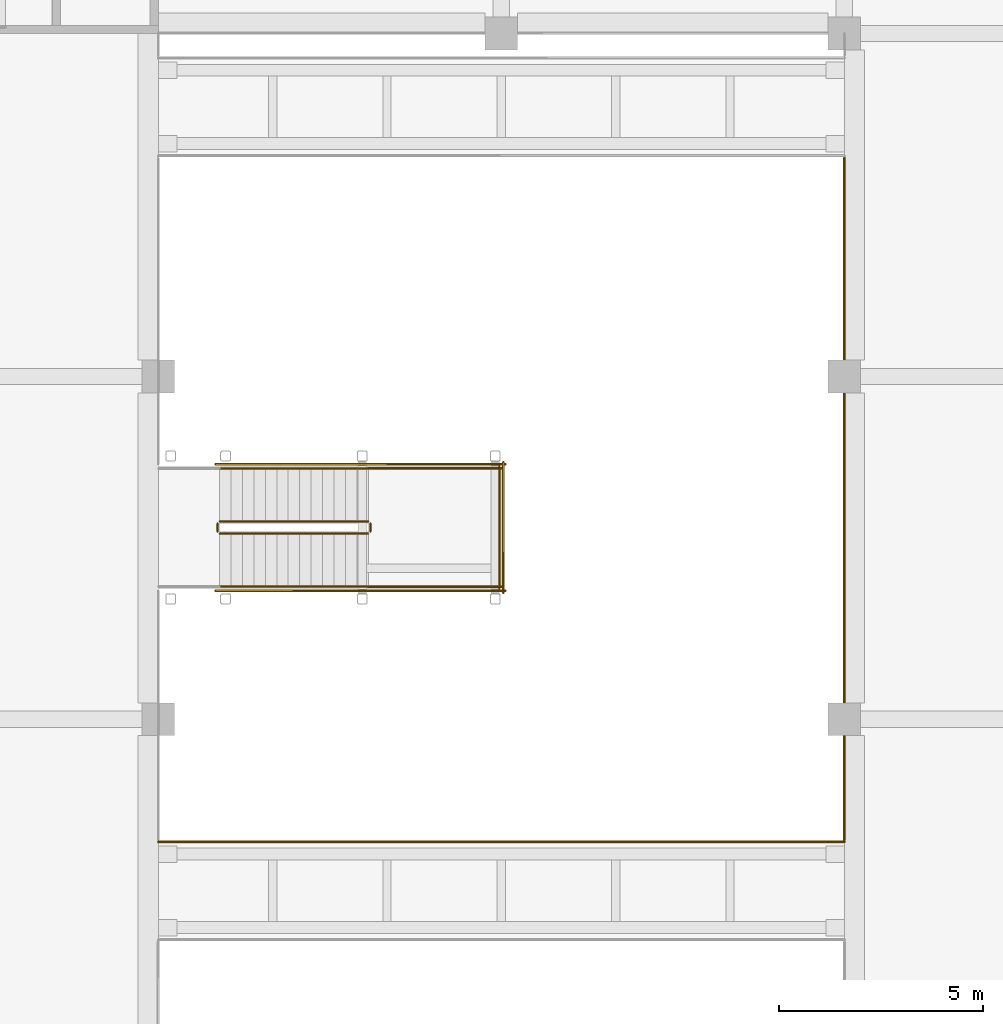
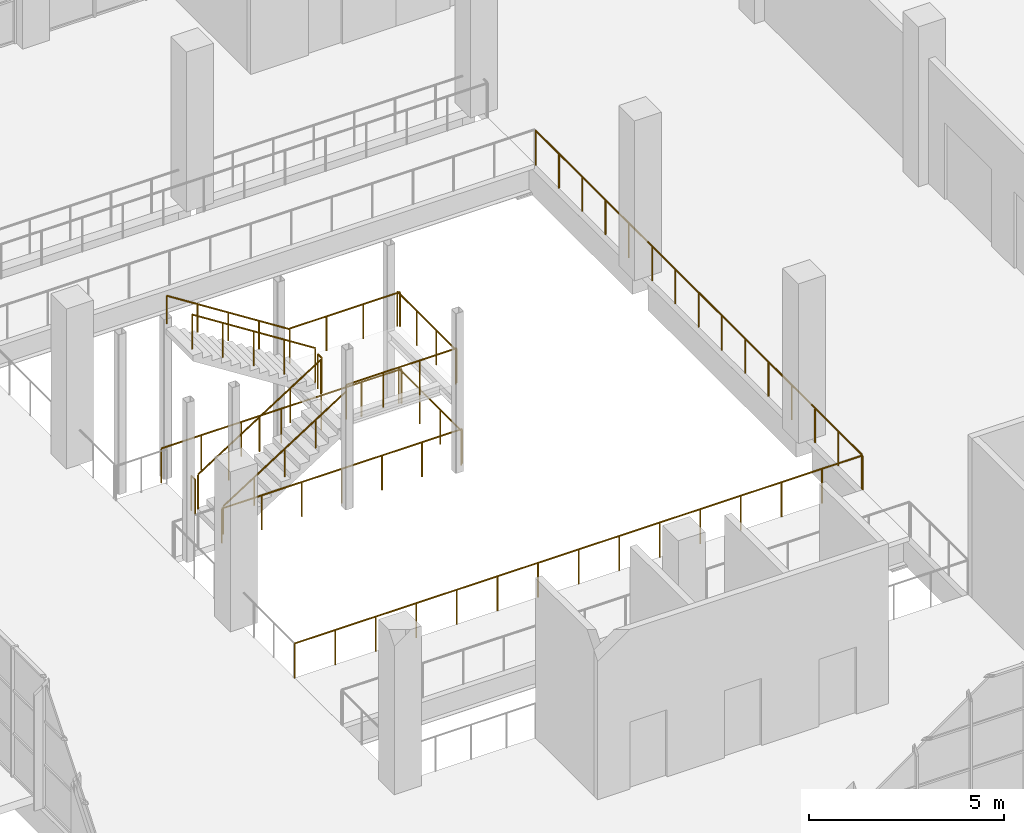
# One storey, part 86 of 101: 14 railings.
"""IFC4 building model written with IfcOpenShell, lengths in metres."""

from ifc_helpers import new_model, si_unit, direction, frame, origin, origin_2d, place, context, subcontext, project, spatial, circle, extrude, material, type_object, element, save


model = new_model("IFC4")

# Units and contexts
model_context = context("Model", 3, precision=1e-05, world=origin(), true_north=direction((0.0, 1.0)))
body_context = subcontext(model_context, "Body", "Model", "MODEL_VIEW")
ifc_project = project(units=[si_unit("LENGTHUNIT", "METRE"), si_unit("AREAUNIT", "SQUARE_METRE"), si_unit("VOLUMEUNIT", "CUBIC_METRE"), si_unit("PLANEANGLEUNIT", "RADIAN"), si_unit("MASSUNIT", "GRAM", prefix="KILO")], contexts=[model_context])

# Site, building, storey
site_placement = place(None, origin())
site = spatial("IfcSite", under=ifc_project, at=site_placement, CompositionType="ELEMENT")
building_placement = place(site_placement, origin())
building = spatial("IfcBuilding", under=site, at=building_placement, Name="Almond Square Museum", CompositionType="ELEMENT")
storey_placement = place(building_placement, frame((0.0, 0.0, 5.5)))
storey = spatial("IfcBuildingStorey", under=building, at=storey_placement, Name="L01", CompositionType="ELEMENT", Elevation=5.5)

# Railings
ifc_material_1 = material(Name="Laminated glass and stainless steel", Category="steel")
railing_type_1 = type_object("IfcRailingType", Name="Atrium bridge guard 1100", PredefinedType="GUARDRAIL", material=ifc_material_1)
railing_1_placement = place(storey_placement, frame((81.60009765625, 81.0, 0.0)))
element("IfcRailing", 1, at=railing_1_placement, inside=storey, type_object=railing_type_1, Name="BR-L01-1 bridge guard north", PredefinedType="GUARDRAIL", context=body_context, shape_type="SweptSolid", body=[
    extrude(circle(Radius=0.02392578125, at=origin_2d()), frame((0.0, 0.0, 1.076171875), z_axis=(1.0, 0.0, 0.0), x_axis=(0.0, 1.0, 0.0)), (0.0, 0.0, 1.0), 16.7998046875),
    extrude(circle(Radius=0.02099609375, at=origin_2d()), origin(), (0.0, 0.0, 1.0), 1.052001953125),
    extrude(circle(Radius=0.02099609375, at=origin_2d()), frame((1.199951171875, 0.0, 0.0)), (0.0, 0.0, 1.0), 1.052001953125),
    extrude(circle(Radius=0.02099609375, at=origin_2d()), frame((2.39990234375, 0.0, 0.0)), (0.0, 0.0, 1.0), 1.052001953125),
    extrude(circle(Radius=0.02099609375, at=origin_2d()), frame((3.599853515625, 0.0, 0.0)), (0.0, 0.0, 1.0), 1.052001953125),
    extrude(circle(Radius=0.02099609375, at=origin_2d()), frame((4.800048828125, 0.0, 0.0)), (0.0, 0.0, 1.0), 1.052001953125),
    extrude(circle(Radius=0.02099609375, at=origin_2d()), frame((6.0, 0.0, 0.0)), (0.0, 0.0, 1.0), 1.052001953125),
    extrude(circle(Radius=0.02099609375, at=origin_2d()), frame((7.199951171875, 0.0, 0.0)), (0.0, 0.0, 1.0), 1.052001953125),
    extrude(circle(Radius=0.02099609375, at=origin_2d()), frame((8.39990234375, 0.0, 0.0)), (0.0, 0.0, 1.0), 1.052001953125),
    extrude(circle(Radius=0.02099609375, at=origin_2d()), frame((9.599853515625, 0.0, 0.0)), (0.0, 0.0, 1.0), 1.052001953125),
    extrude(circle(Radius=0.02099609375, at=origin_2d()), frame((10.7998046875, 0.0, 0.0)), (0.0, 0.0, 1.0), 1.052001953125),
    extrude(circle(Radius=0.02099609375, at=origin_2d()), frame((11.999755859375, 0.0, 0.0)), (0.0, 0.0, 1.0), 1.052001953125),
    extrude(circle(Radius=0.02099609375, at=origin_2d()), frame((13.199951171875, 0.0, 0.0)), (0.0, 0.0, 1.0), 1.052001953125),
    extrude(circle(Radius=0.02099609375, at=origin_2d()), frame((14.39990234375, 0.0, 0.0)), (0.0, 0.0, 1.0), 1.052001953125),
    extrude(circle(Radius=0.02099609375, at=origin_2d()), frame((15.599853515625, 0.0, 0.0)), (0.0, 0.0, 1.0), 1.052001953125),
    extrude(circle(Radius=0.02099609375, at=origin_2d()), frame((16.7998046875, 0.0, 0.0)), (0.0, 0.0, 1.0), 1.052001953125),
])
ifc_material_2 = material(Name="Laminated glass and stainless steel", Category="steel")
railing_type_2 = type_object("IfcRailingType", Name="Atrium guard 1100 glass balustrade", PredefinedType="GUARDRAIL", material=ifc_material_2)
railing_2_placement = place(storey_placement, frame((98.39990234375, 81.050048828125, 0.0)))
element("IfcRailing", 2, at=railing_2_placement, inside=storey, type_object=railing_type_2, Name="L01 atrium guard 6", PredefinedType="GUARDRAIL", context=body_context, shape_type="SweptSolid", body=[
    extrude(circle(Radius=0.02392578125, at=origin_2d()), frame((0.0, 0.0, 1.076171875), z_axis=(0.0, 1.0, 0.0), x_axis=(-1.0, 0.0, 0.0)), (0.0, 0.0, 1.0), 16.699951171875),
    extrude(circle(Radius=0.02099609375, at=origin_2d()), origin(), (0.0, 0.0, 1.0), 1.052001953125),
    extrude(circle(Radius=0.02099609375, at=origin_2d()), frame((0.0, 1.19287109375, 0.0)), (0.0, 0.0, 1.0), 1.052001953125),
    extrude(circle(Radius=0.02099609375, at=origin_2d()), frame((0.0, 2.3857421875, 0.0)), (0.0, 0.0, 1.0), 1.052001953125),
    extrude(circle(Radius=0.02099609375, at=origin_2d()), frame((0.0, 3.57861328125, 0.0)), (0.0, 0.0, 1.0), 1.052001953125),
    extrude(circle(Radius=0.02099609375, at=origin_2d()), frame((0.0, 4.771484375, 0.0)), (0.0, 0.0, 1.0), 1.052001953125),
    extrude(circle(Radius=0.02099609375, at=origin_2d()), frame((0.0, 5.96435546875, 0.0)), (0.0, 0.0, 1.0), 1.052001953125),
    extrude(circle(Radius=0.02099609375, at=origin_2d()), frame((0.0, 7.1572265625, 0.0)), (0.0, 0.0, 1.0), 1.052001953125),
    extrude(circle(Radius=0.02099609375, at=origin_2d()), frame((0.0, 8.35009765625, 0.0)), (0.0, 0.0, 1.0), 1.052001953125),
    extrude(circle(Radius=0.02099609375, at=origin_2d()), frame((0.0, 9.542724609375, 0.0)), (0.0, 0.0, 1.0), 1.052001953125),
    extrude(circle(Radius=0.02099609375, at=origin_2d()), frame((0.0, 10.735595703125, 0.0)), (0.0, 0.0, 1.0), 1.052001953125),
    extrude(circle(Radius=0.02099609375, at=origin_2d()), frame((0.0, 11.928466796875, 0.0)), (0.0, 0.0, 1.0), 1.052001953125),
    extrude(circle(Radius=0.02099609375, at=origin_2d()), frame((0.0, 13.121337890625, 0.0)), (0.0, 0.0, 1.0), 1.052001953125),
    extrude(circle(Radius=0.02099609375, at=origin_2d()), frame((0.0, 14.314208984375, 0.0)), (0.0, 0.0, 1.0), 1.052001953125),
    extrude(circle(Radius=0.02099609375, at=origin_2d()), frame((0.0, 15.507080078125, 0.0)), (0.0, 0.0, 1.0), 1.052001953125),
    extrude(circle(Radius=0.02099609375, at=origin_2d()), frame((0.0, 16.699951171875, 0.0)), (0.0, 0.0, 1.0), 1.052001953125),
])
ifc_material_3 = material(Name="Stainless steel and laminated glass", Category="steel")
railing_type_3 = type_object("IfcRailingType", Name="Stair guard 1100 steel and glass", PredefinedType="GUARDRAIL", material=ifc_material_3)
railing_3_placement = place(storey_placement, frame((83.10009765625, 88.550048828125, 0.178466796875)))
element("IfcRailing", 3, at=railing_3_placement, inside=storey, type_object=railing_type_3, Name="L01 ST-F stair guard 1", PredefinedType="GUARDRAIL", context=body_context, shape_type="SweptSolid", body=[
    extrude(circle(Radius=0.02392578125, at=origin_2d()), frame((0.0, 0.0, 1.076171875), z_axis=(0.843111507901, 0.0, 0.53773877045), x_axis=(0.0, 1.0, 0.0)), (0.0, 0.0, 1.0), 4.317138671875),
    extrude(circle(Radius=0.02099609375, at=origin_2d()), origin(), (0.0, 0.0, 1.0), 1.052001953125),
    extrude(circle(Radius=0.02099609375, at=origin_2d()), frame((0.909912109375, 0.0, 0.580322265625)), (0.0, 0.0, 1.0), 1.052001953125),
    extrude(circle(Radius=0.02099609375, at=origin_2d()), frame((1.81982421875, 0.0, 1.16064453125)), (0.0, 0.0, 1.0), 1.052001953125),
    extrude(circle(Radius=0.02099609375, at=origin_2d()), frame((2.72998046875, 0.0, 1.7412109375)), (0.0, 0.0, 1.0), 1.052001953125),
    extrude(circle(Radius=0.02099609375, at=origin_2d()), frame((3.639892578125, 0.0, 2.321533203125)), (0.0, 0.0, 1.0), 1.052001953125),
])
railing_4_placement = place(storey_placement, frame((86.7900390625, 88.60009765625, 2.5)))
element("IfcRailing", 4, at=railing_4_placement, inside=storey, type_object=railing_type_3, Name="L01 ST-F stair guard 2", PredefinedType="GUARDRAIL", context=body_context, shape_type="SweptSolid", body=[
    extrude(circle(Radius=0.02392578125, at=origin_2d()), frame((0.0, 0.0, 1.076171875), z_axis=(0.0, 1.0, 0.0), x_axis=(-1.0, 0.0, 0.0)), (0.0, 0.0, 1.0), 0.199951171875),
    extrude(circle(Radius=0.02099609375, at=origin_2d()), origin(), (0.0, 0.0, 1.0), 1.052001953125),
    extrude(circle(Radius=0.02099609375, at=origin_2d()), frame((0.0, 0.199951171875, 0.0)), (0.0, 0.0, 1.0), 1.052001953125),
])
for number, where, name in (
    (5, (86.739990234375, 87.25, 2.5), "L01 ST-F stair guard 3"),
    (6, (86.739990234375, 90.14990234375, 2.5), "L01 ST-F stair guard 4"),
):
    element("IfcRailing", number, at=place(storey_placement, frame(where)), inside=storey, type_object=railing_type_3, Name=name, PredefinedType="GUARDRAIL", context=body_context, shape_type="SweptSolid", body=[
        extrude(circle(Radius=0.02392578125, at=origin_2d()), frame((0.0, 0.0, 1.076171875), z_axis=(1.0, 0.0, 0.0), x_axis=(0.0, 1.0, 0.0)), (0.0, 0.0, 1.0), 3.260009765625),
        extrude(circle(Radius=0.02099609375, at=origin_2d()), origin(), (0.0, 0.0, 1.0), 1.052001953125),
        extrude(circle(Radius=0.02099609375, at=origin_2d()), frame((1.086669921875, 0.0, 0.0)), (0.0, 0.0, 1.0), 1.052001953125),
        extrude(circle(Radius=0.02099609375, at=origin_2d()), frame((2.17333984375, 0.0, 0.0)), (0.0, 0.0, 1.0), 1.052001953125),
        extrude(circle(Radius=0.02099609375, at=origin_2d()), frame((3.260009765625, 0.0, 0.0)), (0.0, 0.0, 1.0), 1.052001953125),
    ])
railing_5_placement = place(storey_placement, frame((89.949951171875, 87.199951171875, 2.5)))
element("IfcRailing", 7, at=railing_5_placement, inside=storey, type_object=railing_type_3, Name="L01 ST-F stair guard 5", PredefinedType="GUARDRAIL", context=body_context, shape_type="SweptSolid", body=[
    extrude(circle(Radius=0.02392578125, at=origin_2d()), frame((0.0, 0.0, 1.076171875), z_axis=(0.0, 1.0, 0.0), x_axis=(-1.0, 0.0, 0.0)), (0.0, 0.0, 1.0), 3.0),
    extrude(circle(Radius=0.02099609375, at=origin_2d()), origin(), (0.0, 0.0, 1.0), 1.052001953125),
    extrude(circle(Radius=0.02099609375, at=origin_2d()), frame((0.0, 1.0, 0.0)), (0.0, 0.0, 1.0), 1.052001953125),
    extrude(circle(Radius=0.02099609375, at=origin_2d()), frame((0.0, 2.0, 0.0)), (0.0, 0.0, 1.0), 1.052001953125),
    extrude(circle(Radius=0.02099609375, at=origin_2d()), frame((0.0, 3.0, 0.0)), (0.0, 0.0, 1.0), 1.052001953125),
])
railing_6_placement = place(storey_placement, frame((86.739990234375, 88.85009765625, 2.678466796875)))
element("IfcRailing", 8, at=railing_6_placement, inside=storey, type_object=railing_type_3, Name="L01 ST-F stair guard 6", PredefinedType="GUARDRAIL", context=body_context, shape_type="SweptSolid", body=[
    extrude(circle(Radius=0.02392578125, at=origin_2d()), frame((0.0, 0.0, 1.076171875), z_axis=(-0.843111507901, 0.0, 0.53773877045), x_axis=(0.0, -1.0, 0.0)), (0.0, 0.0, 1.0), 4.317138671875),
    extrude(circle(Radius=0.02099609375, at=origin_2d()), origin(), (0.0, 0.0, 1.0), 1.052001953125),
    extrude(circle(Radius=0.02099609375, at=origin_2d()), frame((-0.909912109375, 0.0, 0.580322265625)), (0.0, 0.0, 1.0), 1.052001953125),
    extrude(circle(Radius=0.02099609375, at=origin_2d()), frame((-1.81982421875, 0.0, 1.16064453125)), (0.0, 0.0, 1.0), 1.052001953125),
    extrude(circle(Radius=0.02099609375, at=origin_2d()), frame((-2.72998046875, 0.0, 1.7412109375)), (0.0, 0.0, 1.0), 1.052001953125),
    extrude(circle(Radius=0.02099609375, at=origin_2d()), frame((-3.639892578125, 0.0, 2.321533203125)), (0.0, 0.0, 1.0), 1.052001953125),
])
railing_7_placement = place(storey_placement, frame((83.050048828125, 88.60009765625, 0.0)))
element("IfcRailing", 9, at=railing_7_placement, inside=storey, type_object=railing_type_3, Name="L01 ST-F stair guard 7", PredefinedType="GUARDRAIL", context=body_context, shape_type="SweptSolid", body=[
    extrude(circle(Radius=0.02392578125, at=origin_2d()), frame((0.0, 0.0, 1.076171875), z_axis=(0.0, 1.0, 0.0), x_axis=(-1.0, 0.0, 0.0)), (0.0, 0.0, 1.0), 0.199951171875),
    extrude(circle(Radius=0.02099609375, at=origin_2d()), origin(), (0.0, 0.0, 1.0), 1.052001953125),
    extrude(circle(Radius=0.02099609375, at=origin_2d()), frame((0.0, 0.199951171875, 0.0)), (0.0, 0.0, 1.0), 1.052001953125),
])
for number, where, name in (
    (10, (83.0, 87.14990234375, 0.0), "L01 ST-F stair guard 10"),
    (11, (83.0, 90.25, 0.0), "L01 ST-F stair guard 11"),
):
    element("IfcRailing", number, at=place(storey_placement, frame(where)), inside=storey, type_object=railing_type_3, Name=name, PredefinedType="GUARDRAIL", context=body_context, shape_type="SweptSolid", body=[
        extrude(circle(Radius=0.02392578125, at=origin_2d()), frame((0.0, 0.0, 1.076171875), z_axis=(1.0, 0.0, 0.0), x_axis=(0.0, 1.0, 0.0)), (0.0, 0.0, 1.0), 7.10009765625),
        extrude(circle(Radius=0.02099609375, at=origin_2d()), origin(), (0.0, 0.0, 1.0), 1.052001953125),
        extrude(circle(Radius=0.02099609375, at=origin_2d()), frame((1.183349609375, 0.0, 0.0)), (0.0, 0.0, 1.0), 1.052001953125),
        extrude(circle(Radius=0.02099609375, at=origin_2d()), frame((2.36669921875, 0.0, 0.0)), (0.0, 0.0, 1.0), 1.052001953125),
        extrude(circle(Radius=0.02099609375, at=origin_2d()), frame((3.550048828125, 0.0, 0.0)), (0.0, 0.0, 1.0), 1.052001953125),
        extrude(circle(Radius=0.02099609375, at=origin_2d()), frame((4.7333984375, 0.0, 0.0)), (0.0, 0.0, 1.0), 1.052001953125),
        extrude(circle(Radius=0.02099609375, at=origin_2d()), frame((5.916748046875, 0.0, 0.0)), (0.0, 0.0, 1.0), 1.052001953125),
        extrude(circle(Radius=0.02099609375, at=origin_2d()), frame((7.10009765625, 0.0, 0.0)), (0.0, 0.0, 1.0), 1.052001953125),
    ])
railing_8_placement = place(storey_placement, frame((90.050048828125, 87.10009765625, 0.0)))
element("IfcRailing", 12, at=railing_8_placement, inside=storey, type_object=railing_type_3, Name="L01 ST-F stair guard 12", PredefinedType="GUARDRAIL", context=body_context, shape_type="SweptSolid", body=[
    extrude(circle(Radius=0.02392578125, at=origin_2d()), frame((0.0, 0.0, 1.076171875), z_axis=(0.0, 1.0, 0.0), x_axis=(-1.0, 0.0, 0.0)), (0.0, 0.0, 1.0), 3.199951171875),
    extrude(circle(Radius=0.02099609375, at=origin_2d()), origin(), (0.0, 0.0, 1.0), 1.052001953125),
    extrude(circle(Radius=0.02099609375, at=origin_2d()), frame((0.0, 1.066650390625, 0.0)), (0.0, 0.0, 1.0), 1.052001953125),
    extrude(circle(Radius=0.02099609375, at=origin_2d()), frame((0.0, 2.13330078125, 0.0)), (0.0, 0.0, 1.0), 1.052001953125),
    extrude(circle(Radius=0.02099609375, at=origin_2d()), frame((0.0, 3.199951171875, 0.0)), (0.0, 0.0, 1.0), 1.052001953125),
])
ifc_material_4 = material(Name="Stainless steel", Category="steel")
railing_type_4 = type_object("IfcRailingType", Name="Stair handrail 900 steel", PredefinedType="HANDRAIL", material=ifc_material_4)
railing_9_placement = place(storey_placement, frame((83.10009765625, 87.25, 0.178466796875)))
element("IfcRailing", 13, at=railing_9_placement, inside=storey, type_object=railing_type_4, Name="L01 ST-F stair handrail 1", PredefinedType="HANDRAIL", context=body_context, shape_type="SweptSolid", body=[
    extrude(circle(Radius=0.02392578125, at=origin_2d()), frame((0.0, 0.0, 0.8759765625), z_axis=(0.843111507901, 0.0, 0.53773877045), x_axis=(0.0, 1.0, 0.0)), (0.0, 0.0, 1.0), 4.317138671875),
    extrude(circle(Radius=0.02099609375, at=origin_2d()), origin(), (0.0, 0.0, 1.0), 0.851806640625),
    extrude(circle(Radius=0.02099609375, at=origin_2d()), frame((0.909912109375, 0.0, 0.580322265625)), (0.0, 0.0, 1.0), 0.851806640625),
    extrude(circle(Radius=0.02099609375, at=origin_2d()), frame((1.81982421875, 0.0, 1.16064453125)), (0.0, 0.0, 1.0), 0.851806640625),
    extrude(circle(Radius=0.02099609375, at=origin_2d()), frame((2.72998046875, 0.0, 1.7412109375)), (0.0, 0.0, 1.0), 0.851806640625),
    extrude(circle(Radius=0.02099609375, at=origin_2d()), frame((3.639892578125, 0.0, 2.321533203125)), (0.0, 0.0, 1.0), 0.851806640625),
])
railing_10_placement = place(storey_placement, frame((86.739990234375, 90.14990234375, 2.678466796875)))
element("IfcRailing", 14, at=railing_10_placement, inside=storey, type_object=railing_type_4, Name="L01 ST-F stair handrail 2", PredefinedType="HANDRAIL", context=body_context, shape_type="SweptSolid", body=[
    extrude(circle(Radius=0.02392578125, at=origin_2d()), frame((0.0, 0.0, 0.8759765625), z_axis=(-0.843111507901, 0.0, 0.53773877045), x_axis=(0.0, -1.0, 0.0)), (0.0, 0.0, 1.0), 4.317138671875),
    extrude(circle(Radius=0.02099609375, at=origin_2d()), origin(), (0.0, 0.0, 1.0), 0.851806640625),
    extrude(circle(Radius=0.02099609375, at=origin_2d()), frame((-0.909912109375, 0.0, 0.580322265625)), (0.0, 0.0, 1.0), 0.851806640625),
    extrude(circle(Radius=0.02099609375, at=origin_2d()), frame((-1.81982421875, 0.0, 1.16064453125)), (0.0, 0.0, 1.0), 0.851806640625),
    extrude(circle(Radius=0.02099609375, at=origin_2d()), frame((-2.72998046875, 0.0, 1.7412109375)), (0.0, 0.0, 1.0), 0.851806640625),
    extrude(circle(Radius=0.02099609375, at=origin_2d()), frame((-3.639892578125, 0.0, 2.321533203125)), (0.0, 0.0, 1.0), 0.851806640625),
])

save(model, "model.ifc")
